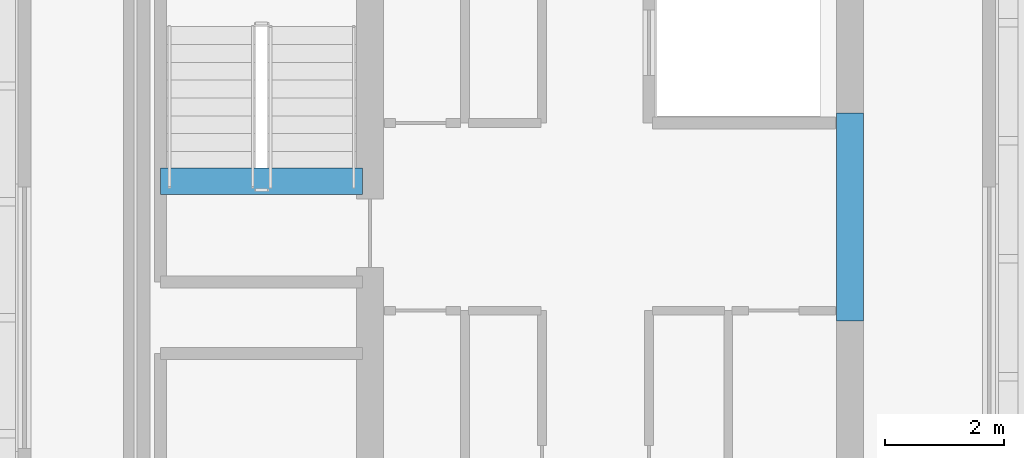
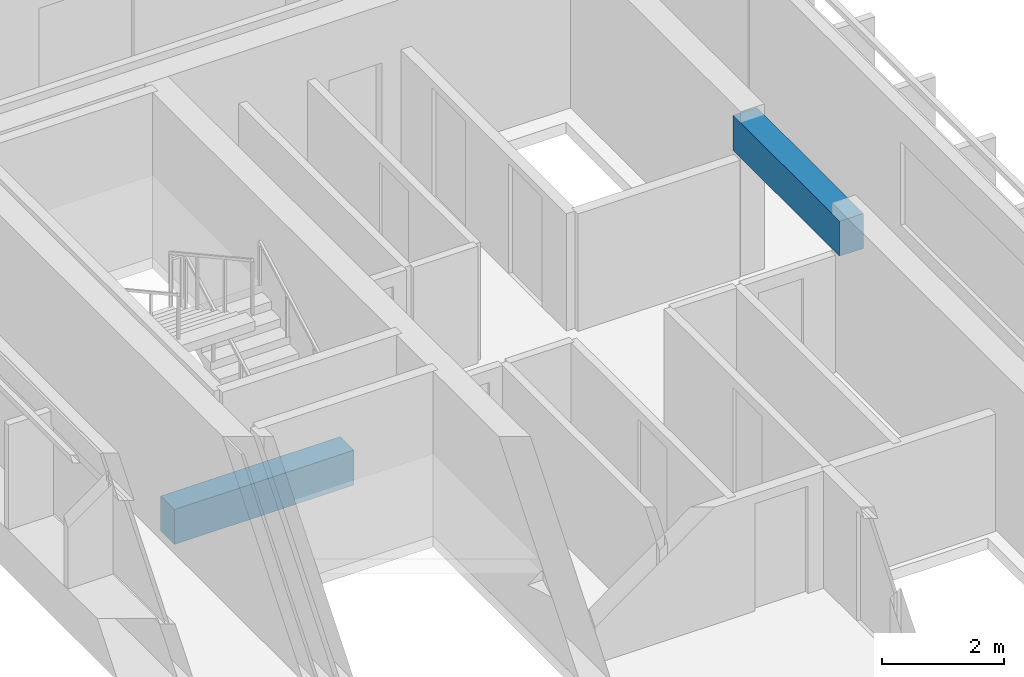
# One storey, part 4 of 29: 2 beams.
"""IFC4 building model written with IfcOpenShell, lengths in metres."""

import ifcopenshell
import ifcopenshell.guid

model = None  # the IFC model being written
_history = None  # IfcOwnerHistory: only IFC2X3 demands one
_inside = {}  # id of a spatial element -> (the spatial element, [elements in it])
_under = {}  # id of a project, library or spatial element -> (it, [spatial elements below it])
_declared = {}  # id of a project -> (the project, [libraries it declares])
_typed = {}  # id of a type object -> (the type object, [elements of that type])
_made_of = {}  # id of a material, layer set ... -> (it, [elements and type objects made of it])


def new_model(schema):
    """Start an empty IFC model of exactly this schema.

    Asked for "IFC4X3", IfcOpenShell would pick the latest addendum, in which some entities
    have other attributes; the version numbers below select the first issue.
    IFC2X3 requires an IfcOwnerHistory on every rooted entity: one is made here for all.
    """
    global model, _history
    if schema == "IFC4X3":
        model = ifcopenshell.file(schema_version=(4, 3, 0, 0))
    else:
        model = ifcopenshell.file(schema=schema)
    _inside.clear()
    _under.clear()
    _declared.clear()
    _typed.clear()
    _made_of.clear()
    _history = None
    if model.schema == "IFC2X3":
        org = make("IfcOrganization", Name="unknown")
        user = make(
            "IfcPersonAndOrganization",
            ThePerson=make("IfcPerson", FamilyName="unknown"),
            TheOrganization=org,
        )
        app = make(
            "IfcApplication",
            ApplicationDeveloper=org,
            Version="unknown",
            ApplicationFullName="unknown",
            ApplicationIdentifier="unknown",
        )
        _history = make(
            "IfcOwnerHistory",
            OwningUser=user,
            OwningApplication=app,
            ChangeAction="ADDED",
            CreationDate=0,
        )
    return model


def make(cls, **values):
    """One entity of the class cls with the attributes given. An attribute that is None is left unset."""
    return model.create_entity(
        cls, **{name: value for name, value in values.items() if value is not None}
    )


def rooted(cls, **values):
    """An entity with a GlobalId (a new one), such as an element, a storey or a relation."""
    return make(cls, GlobalId=ifcopenshell.guid.new(), OwnerHistory=_history, **values)


def si_unit(unit_type, name, prefix=None):
    """IfcSIUnit, for example si_unit("LENGTHUNIT", "METRE", prefix="MILLI")."""
    return make("IfcSIUnit", UnitType=unit_type, Prefix=prefix, Name=name)


def assignment(units):
    """IfcUnitAssignment: the units of a project."""
    return None if units is None else make("IfcUnitAssignment", Units=units)


def point(xyz):
    """IfcCartesianPoint."""
    return None if xyz is None else make("IfcCartesianPoint", Coordinates=xyz)


def direction(xyz):
    """IfcDirection."""
    return None if xyz is None else make("IfcDirection", DirectionRatios=xyz)


def frame(location, z_axis=None, x_axis=None):
    """IfcAxis2Placement3D, a coordinate frame: its origin and axes. An axis left out is left unset."""
    return make(
        "IfcAxis2Placement3D",
        Location=point(location),
        Axis=direction(z_axis),
        RefDirection=direction(x_axis),
    )


def frame_2d(location, x_axis=None):
    """IfcAxis2Placement2D, a coordinate frame in the plane: its origin and x axis."""
    return make(
        "IfcAxis2Placement2D", Location=point(location), RefDirection=direction(x_axis)
    )


def origin():
    """The frame at (0, 0, 0) with its axes left unset."""
    return frame((0.0, 0.0, 0.0))


def origin_2d():
    """The frame at (0, 0) in the plane with its x axis left unset."""
    return frame_2d((0.0, 0.0))


def place(relative_to, where):
    """IfcLocalPlacement: puts the frame where relative to a parent placement (None: the world)."""
    return make(
        "IfcLocalPlacement", PlacementRelTo=relative_to, RelativePlacement=where
    )


def context(
    kind, dimensions, precision=None, world=None, true_north=None, identifier=None
):
    """IfcGeometricRepresentationContext, for example the 3D "Model" context."""
    return make(
        "IfcGeometricRepresentationContext",
        ContextIdentifier=identifier,
        ContextType=kind,
        CoordinateSpaceDimension=dimensions,
        Precision=precision,
        WorldCoordinateSystem=world,
        TrueNorth=true_north,
    )


def subcontext(parent, identifier, kind, view, scale=None):
    """IfcGeometricRepresentationSubContext, for example "Body" below "Model"."""
    return make(
        "IfcGeometricRepresentationSubContext",
        ContextIdentifier=identifier,
        ContextType=kind,
        ParentContext=parent,
        TargetScale=scale,
        TargetView=view,
    )


def project(units=None, contexts=None):
    """IfcProject with its units and contexts."""
    return rooted(
        "IfcProject",
        Name="project",
        RepresentationContexts=contexts,
        UnitsInContext=assignment(units),
    )


def spatial(cls, under=None, at=None, **own):
    """A site, building, storey or space (cls), placed at a placement, below another one or the project."""
    s = rooted(cls, ObjectPlacement=at, **own)
    if under is not None:
        _under.setdefault(under.id(), (under, []))[1].append(s)
    return s


def profile(cls, at=None, kind="AREA", **sizes):
    """A parametric profile (cls). Its sizes go by their IFC names, for example OverallWidth=200.0."""
    return make(cls, ProfileType=kind, Position=at, **sizes)


def rectangle(**sizes):
    """IfcRectangleProfileDef."""
    return profile("IfcRectangleProfileDef", **sizes)


def extrude(swept, where, along, depth):
    """IfcExtrudedAreaSolid: the profile swept, set in the frame where, extruded along a direction by depth."""
    return make(
        "IfcExtrudedAreaSolid",
        SweptArea=swept,
        Position=where,
        ExtrudedDirection=direction(along),
        Depth=depth,
    )


def shape(context_of_items, identifier, shape_type, items):
    """IfcShapeRepresentation: the items that make up one representation, for example the "Body"."""
    return make(
        "IfcShapeRepresentation",
        ContextOfItems=context_of_items,
        RepresentationIdentifier=identifier,
        RepresentationType=shape_type,
        Items=items,
    )


def material(Name=None, Category=None):
    """IfcMaterial."""
    return make("IfcMaterial", Name=Name, Category=Category)


def material_profile(
    of_material, cross_section, Name=None, Category=None, Priority=None
):
    """IfcMaterialProfile: a cross section and its material."""
    return make(
        "IfcMaterialProfile",
        Name=Name,
        Material=of_material,
        Profile=cross_section,
        Priority=Priority,
        Category=Category,
    )


def profile_set(profiles, Name=None, composite=None):
    """IfcMaterialProfileSet."""
    return make(
        "IfcMaterialProfileSet",
        Name=Name,
        MaterialProfiles=profiles,
        CompositeProfile=composite,
    )


def made_of(thing, what):
    """Note that an element or type object is made of a material, layer set ...; save() writes the relation."""
    if what is not None:
        _made_of.setdefault(what.id(), (what, []))[1].append(thing)
    return thing


def type_object(cls, material=None, **own):
    """A type object (cls), such as IfcWallType, which elements share."""
    return made_of(rooted(cls, **own), material)


def element(
    cls,
    number,
    at=None,
    inside=None,
    cuts=None,
    type_object=None,
    material=None,
    context=None,
    identifier="Body",
    shape_type=None,
    held_by="IfcProductDefinitionShape",
    body=None,
    shapes=None,
    **own,
):
    """One element of the class cls, such as IfcWall. Its Tag is "e" and its number.

    at: its placement. inside: the storey or other place that contains it. cuts: it is an
    opening in that element (IfcRelVoidsElement). A single representation is given by context,
    identifier, shape_type and body (its items); several are given by shapes. held_by: the class
    of the entity that holds the representations. save() writes the other relations.
    """
    e = rooted(cls, Tag="e%d" % number, ObjectPlacement=at, **own)
    if body is not None:
        shapes = [shape(context, identifier, shape_type, body)]
    if shapes is not None:
        e.Representation = make(held_by, Representations=shapes)
    if inside is not None:
        _inside.setdefault(inside.id(), (inside, []))[1].append(e)
    if cuts is not None:
        rooted(
            "IfcRelVoidsElement", RelatingBuildingElement=cuts, RelatedOpeningElement=e
        )
    if type_object is not None:
        _typed.setdefault(type_object.id(), (type_object, []))[1].append(e)
    return made_of(e, material)


def aggregate(whole, parts):
    """IfcRelAggregates: a whole, such as a stair, and the parts it consists of."""
    return rooted("IfcRelAggregates", RelatingObject=whole, RelatedObjects=parts)


def save(model, path):
    """Write the relations noted so far, then the file.

    IfcRelAggregates (storeys below a building ...), IfcRelContainedInSpatialStructure (elements
    in a storey), IfcRelDefinesByType, IfcRelAssociatesMaterial and IfcRelDeclares: one each for
    every whole, place, type object, material and project.
    """
    for whole, parts in _under.values():
        aggregate(whole, parts)
    for where, things in _inside.values():
        rooted(
            "IfcRelContainedInSpatialStructure",
            RelatedElements=things,
            RelatingStructure=where,
        )
    for kind, things in _typed.values():
        rooted("IfcRelDefinesByType", RelatedObjects=things, RelatingType=kind)
    for what, things in _made_of.values():
        rooted("IfcRelAssociatesMaterial", RelatedObjects=things, RelatingMaterial=what)
    for by, libraries in _declared.values():
        rooted("IfcRelDeclares", RelatingContext=by, RelatedDefinitions=libraries)
    model.write(path)


model = new_model("IFC4")

# Units and contexts
model_context = context("Model", 3, precision=1e-05, world=origin(), true_north=direction((0.0, 1.0)))
body_context = subcontext(model_context, "Body", "Model", "MODEL_VIEW")
ifc_project = project(units=[si_unit("LENGTHUNIT", "METRE"), si_unit("AREAUNIT", "SQUARE_METRE"), si_unit("VOLUMEUNIT", "CUBIC_METRE"), si_unit("PLANEANGLEUNIT", "RADIAN"), si_unit("MASSUNIT", "GRAM", prefix="KILO")], contexts=[model_context])

# Site, building, storey
site_placement = place(None, origin())
site = spatial("IfcSite", under=ifc_project, at=site_placement, CompositionType="ELEMENT")
building_placement = place(site_placement, origin())
building = spatial("IfcBuilding", under=site, at=building_placement, Name="Tanjung Sevakor Pilgrim Tower", CompositionType="ELEMENT")
storey_placement = place(building_placement, frame((0.0, 0.0, 232.64990234375)))
storey = spatial("IfcBuildingStorey", under=building, at=storey_placement, Name="L65", CompositionType="ELEMENT", Elevation=232.64990234375)

# Beams
ifc_material = material(Name="Concrete C60/75", Category="concrete")
ifc_material_profile = material_profile(ifc_material, rectangle(XDim=0.449951171875, YDim=0.699951171875, at=origin_2d()))
ifc_profile_set = profile_set([ifc_material_profile], Name="Concrete C60/75")
beam_type = type_object("IfcBeamType", Name="BM-B-LN3-RC-BM_450x700", PredefinedType="LINTEL", material=ifc_profile_set)
beam_1_placement = place(storey_placement, frame((36.0, 33.550048828125, 2.72998046875), z_axis=(0.0, 1.0, 0.0), x_axis=(-1.0, 0.0, 0.0)))
element("IfcBeam", 1, at=beam_1_placement, inside=storey, type_object=beam_type, Name="L65 W Core Coupling Lintel", PredefinedType="LINTEL", context=body_context, shape_type="SweptSolid", body=[
    extrude(rectangle(XDim=0.449951171875, YDim=0.699951171875, at=origin_2d()), origin(), (0.0, 0.0, 1.0), 3.5),
])
beam_2_placement = place(storey_placement, frame((24.39990234375, 35.89990234375, -0.349853515625), z_axis=(1.0, 0.0, 0.0), x_axis=(0.0, 1.0, 0.0)))
element("IfcBeam", 2, at=beam_2_placement, inside=storey, type_object=beam_type, Name="L65 TS-W2 Stair Threshold Beam", PredefinedType="LINTEL", context=body_context, shape_type="SweptSolid", body=[
    extrude(rectangle(XDim=0.449951171875, YDim=0.699951171875, at=origin_2d()), origin(), (0.0, 0.0, 1.0), 3.400146484375),
])

save(model, "model.ifc")
